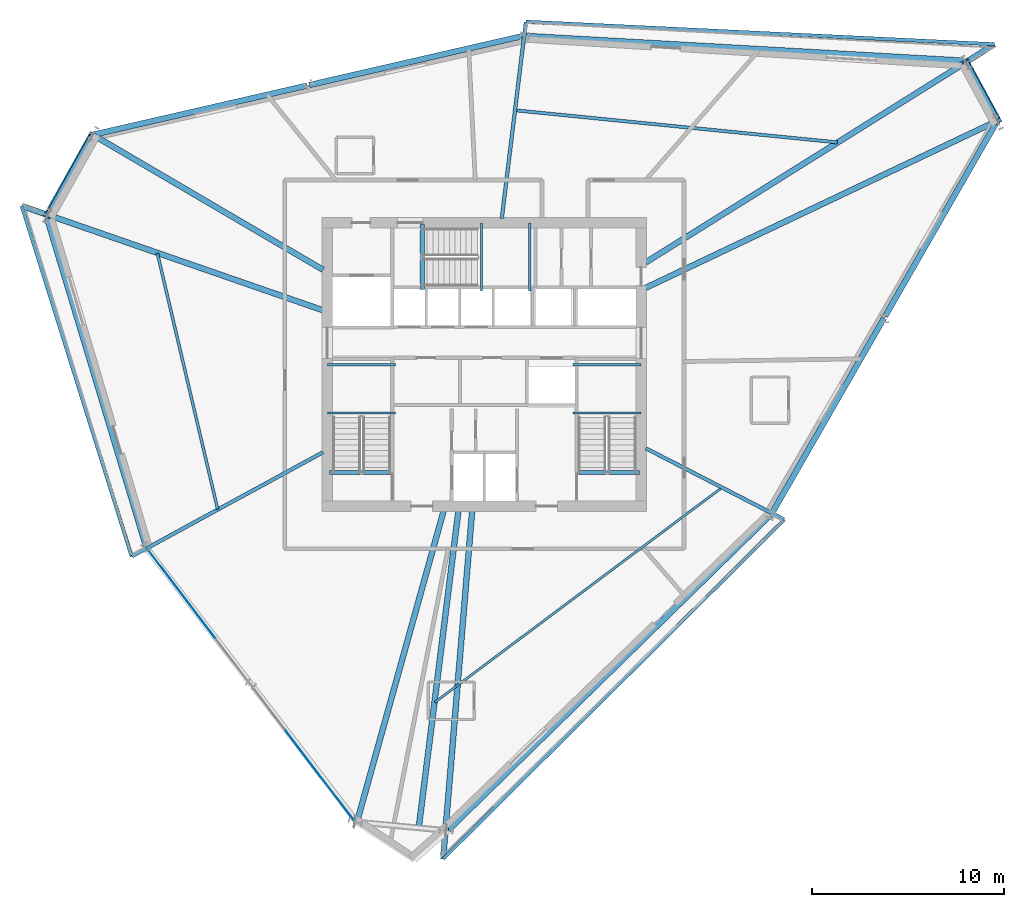
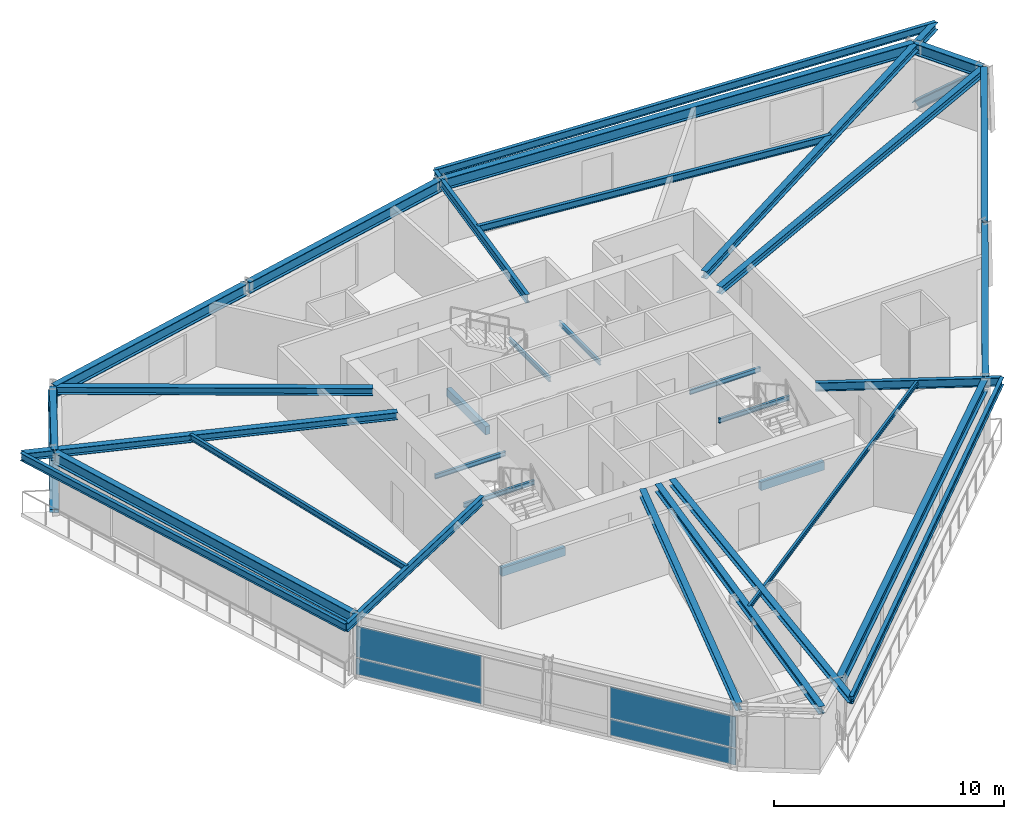
# One storey, part 4 of 14: 34 beams, 4 plates, 2 members, 1 element without a shape of its own.
"""IFC4 building model written with IfcOpenShell, lengths in metres."""

from ifc_helpers import new_model, si_unit, direction, frame, origin, origin_2d, place, context, subcontext, project, spatial, rectangle, i_section, extrude, source, transform, mapped, material, material_profile, profile_set, type_object, element, aggregate, save


model = new_model("IFC4")

# Units and contexts
model_context = context("Model", 3, precision=1e-05, world=origin(), true_north=direction((0.0, 1.0)))
body_context = subcontext(model_context, "Body", "Model", "MODEL_VIEW")
ifc_project = project(units=[si_unit("LENGTHUNIT", "METRE"), si_unit("AREAUNIT", "SQUARE_METRE"), si_unit("VOLUMEUNIT", "CUBIC_METRE"), si_unit("PLANEANGLEUNIT", "RADIAN"), si_unit("MASSUNIT", "GRAM", prefix="KILO")], contexts=[model_context])

# Site, building, storey
site_placement = place(None, origin())
site = spatial("IfcSite", under=ifc_project, at=site_placement, CompositionType="ELEMENT")
building_placement = place(site_placement, origin())
building = spatial("IfcBuilding", under=site, at=building_placement, Name="Olszyna Solenne Hotel", CompositionType="ELEMENT")
storey_placement = place(building_placement, frame((0.0, 0.0, 153.699951171875)))
storey = spatial("IfcBuildingStorey", under=building, at=storey_placement, Name="L40", CompositionType="ELEMENT", Elevation=153.699951171875)

# Beams
ifc_material_1 = material(Name="Steel S355J2", Category="steel")
ifc_material_profile_1 = material_profile(ifc_material_1, i_section(OverallWidth=0.300048828125, OverallDepth=0.60009765625, WebThickness=0.015380859375, FlangeThickness=0.030029296875, at=origin_2d()), Name="HEB 600", Category="load-bearing")
ifc_profile_set_1 = profile_set([ifc_material_profile_1], Name="Steel S355J2")
beam_type_1 = type_object("IfcBeamType", Name="BM-S2", PredefinedType="BEAM", material=ifc_profile_set_1)
shared_shape_1 = source(origin(), body_context, "Body", "SweptSolid", [
    extrude(i_section(OverallWidth=0.300048828125, OverallDepth=0.60009765625, WebThickness=0.015380859375, FlangeThickness=0.030029296875, at=origin_2d()), origin(), (0.0, 0.0, 1.0), 3.43896484375),
])
beam_1_placement = place(storey_placement, frame((64.684814453125, 39.34228515625, 3.0), z_axis=(-0.477926691334, 0.878399725472, 0.0), x_axis=(-0.878399725472, -0.477926691334, 0.0)))
element("IfcBeam", 1, at=beam_1_placement, inside=storey, type_object=beam_type_1, Name="Perimeter spandrel beam BM-S2 B-L40-1186", PredefinedType="BEAM", context=body_context, shape_type="MappedRepresentation", body=[
    mapped(shared_shape_1, transform((0.0, 0.0, 0.0), x_axis=(1.0, 0.0, 0.0), y_axis=(0.0, 1.0, 0.0), z_axis=(0.0, 0.0, 1.0), scale=1.0)),
])
shared_shape_2 = source(origin(), body_context, "Body", "SweptSolid", [
    extrude(i_section(OverallWidth=0.300048828125, OverallDepth=0.60009765625, WebThickness=0.015380859375, FlangeThickness=0.030029296875, at=origin_2d()), origin(), (0.0, 0.0, 1.0), 22.8935546875),
])
beam_2_placement = place(storey_placement, frame((62.95263671875, 42.419189453125, 3.0), z_axis=(-0.998410507591, 0.056360077466, 0.0), x_axis=(-0.056360077466, -0.998410507591, 0.0)))
element("IfcBeam", 2, at=beam_2_placement, inside=storey, type_object=beam_type_1, Name="Perimeter spandrel beam BM-S2 B-L40-1187", PredefinedType="BEAM", context=body_context, shape_type="MappedRepresentation", body=[
    mapped(shared_shape_2, transform((0.0, 0.0, 0.0), x_axis=(1.0, 0.0, 0.0), y_axis=(0.0, 1.0, 0.0), z_axis=(0.0, 0.0, 1.0), scale=1.0)),
])
shared_shape_3 = source(origin(), body_context, "Body", "SweptSolid", [
    extrude(i_section(OverallWidth=0.300048828125, OverallDepth=0.60009765625, WebThickness=0.015380859375, FlangeThickness=0.030029296875, at=origin_2d()), origin(), (0.0, 0.0, 1.0), 11.38671875),
])
for number, where, z_axis, x_axis, name in (
    (3, (39.97705078125, 43.699462890625, 3.0), (-0.974610797874, -0.223905767384, 0.0), (0.223905767384, -0.974610797874, 0.0), "Perimeter spandrel beam BM-S2 B-L40-1188"),
    (4, (28.762451171875, 41.123046875, 3.0), (-0.974610797874, -0.223905767384, 0.0), (0.223905767384, -0.974610797874, 0.0), "Perimeter spandrel beam BM-S2 B-L40-1189"),
):
    element("IfcBeam", number, at=place(storey_placement, frame(where, z_axis=z_axis, x_axis=x_axis)), inside=storey, type_object=beam_type_1, Name=name, PredefinedType="BEAM", context=body_context, shape_type="MappedRepresentation", body=[
        mapped(shared_shape_3, transform((0.0, 0.0, 0.0), x_axis=(1.0, 0.0, 0.0), y_axis=(0.0, 1.0, 0.0), z_axis=(0.0, 0.0, 1.0), scale=1.0)),
    ])
shared_shape_4 = source(origin(), body_context, "Body", "SweptSolid", [
    extrude(i_section(OverallWidth=0.300048828125, OverallDepth=0.60009765625, WebThickness=0.015380859375, FlangeThickness=0.030029296875, at=origin_2d()), origin(), (0.0, 0.0, 1.0), 11.678955078125),
])
beam_3_placement = place(storey_placement, frame((52.99169921875, 18.877685546875, 3.0), z_axis=(0.497979319685, 0.867188905122, 0.0), x_axis=(-0.867188905122, 0.497979319685, 0.0)))
element("IfcBeam", 5, at=beam_3_placement, inside=storey, type_object=beam_type_1, Name="Perimeter spandrel beam BM-S2 B-L40-1196", PredefinedType="BEAM", context=body_context, shape_type="MappedRepresentation", body=[
    mapped(shared_shape_4, transform((0.0, 0.0, 0.0), x_axis=(1.0, 0.0, 0.0), y_axis=(0.0, 1.0, 0.0), z_axis=(0.0, 0.0, 1.0), scale=1.0)),
])
ifc_material_profile_2 = material_profile(ifc_material_1, i_section(OverallWidth=0.179931640625, OverallDepth=0.39990234375, WebThickness=0.008544921875, FlangeThickness=0.013427734375, at=origin_2d()), Name="IPE 400", Category="load-bearing")
ifc_profile_set_2 = profile_set([ifc_material_profile_2], Name="Steel S355J2")
beam_type_2 = type_object("IfcBeamType", Name="BM-F5", PredefinedType="BEAM", material=ifc_profile_set_2)
shared_shape_5 = source(origin(), body_context, "Body", "SweptSolid", [
    extrude(i_section(OverallWidth=0.179931640625, OverallDepth=0.39990234375, WebThickness=0.008544921875, FlangeThickness=0.013427734375, at=origin_2d()), origin(), (0.0, 0.0, 1.0), 24.443115234375),
])
beam_4_placement = place(storey_placement, frame((64.57275390625, 43.2744140625, 3.10009765625), z_axis=(-0.998844308788, 0.04806294625, 0.0), x_axis=(-0.04806294625, -0.998844308788, 0.0)))
element("IfcBeam", 6, at=beam_4_placement, inside=storey, type_object=beam_type_2, Name="Loggia outer edge beam BM-F5 B-L40-1213", PredefinedType="BEAM", context=body_context, shape_type="MappedRepresentation", body=[
    mapped(shared_shape_5, transform((0.0, 0.0, 0.0), x_axis=(1.0, 0.0, 0.0), y_axis=(0.0, 1.0, 0.0), z_axis=(0.0, 0.0, 1.0), scale=1.0)),
])
shared_shape_6 = source(origin(), body_context, "Body", "SweptSolid", [
    extrude(i_section(OverallWidth=0.179931640625, OverallDepth=0.39990234375, WebThickness=0.008544921875, FlangeThickness=0.013427734375, at=origin_2d()), origin(), (0.0, 0.0, 1.0), 19.13916015625),
])
beam_5_placement = place(storey_placement, frame((13.899658203125, 34.8603515625, 3.10009765625), z_axis=(0.299297492727, -0.954159845543, 0.0), x_axis=(0.954159845543, 0.299297492727, 0.0)))
element("IfcBeam", 7, at=beam_5_placement, inside=storey, type_object=beam_type_2, Name="Loggia outer edge beam BM-F5 B-L40-1214", PredefinedType="BEAM", context=body_context, shape_type="MappedRepresentation", body=[
    mapped(shared_shape_6, transform((0.0, 0.0, 0.0), x_axis=(1.0, 0.0, 0.0), y_axis=(0.0, 1.0, 0.0), z_axis=(0.0, 0.0, 1.0), scale=1.0)),
])
shared_shape_7 = source(origin(), body_context, "Body", "SweptSolid", [
    extrude(i_section(OverallWidth=0.179931640625, OverallDepth=0.39990234375, WebThickness=0.008544921875, FlangeThickness=0.013427734375, at=origin_2d()), origin(), (0.0, 0.0, 1.0), 25.059326171875),
])
beam_6_placement = place(storey_placement, frame((35.846923828125, 0.85205078125, 3.10009765625), z_axis=(0.709217751344, 0.704989490119, 0.0), x_axis=(-0.704989490119, 0.709217751344, 0.0)))
element("IfcBeam", 8, at=beam_6_placement, inside=storey, type_object=beam_type_2, Name="Loggia outer edge beam BM-F5 B-L40-1215", PredefinedType="BEAM", context=body_context, shape_type="MappedRepresentation", body=[
    mapped(shared_shape_7, transform((0.0, 0.0, 0.0), x_axis=(1.0, 0.0, 0.0), y_axis=(0.0, 1.0, 0.0), z_axis=(0.0, 0.0, 1.0), scale=1.0)),
])
shared_shape_8 = source(origin(), body_context, "Body", "SweptSolid", [
    extrude(i_section(OverallWidth=0.300048828125, OverallDepth=0.60009765625, WebThickness=0.015380859375, FlangeThickness=0.030029296875, at=origin_2d()), origin(), (0.0, 0.0, 1.0), 4.8125),
])
beam_7_placement = place(storey_placement, frame((17.5771484375, 38.507568359375, 3.0), z_axis=(-0.484776931027, -0.874637826271, 0.0), x_axis=(0.874637826271, -0.484776931027, 0.0)))
element("IfcBeam", 9, at=beam_7_placement, inside=storey, type_object=beam_type_1, Name="Perimeter spandrel beam BM-S2 B-L40-1190", PredefinedType="BEAM", context=body_context, shape_type="MappedRepresentation", body=[
    mapped(shared_shape_8, transform((0.0, 0.0, 0.0), x_axis=(1.0, 0.0, 0.0), y_axis=(0.0, 1.0, 0.0), z_axis=(0.0, 0.0, 1.0), scale=1.0)),
])
shared_shape_9 = source(origin(), body_context, "Body", "SweptSolid", [
    extrude(i_section(OverallWidth=0.300048828125, OverallDepth=0.60009765625, WebThickness=0.015380859375, FlangeThickness=0.030029296875, at=origin_2d()), origin(), (0.0, 0.0, 1.0), 23.477783203125),
])
beam_8_placement = place(storey_placement, frame((36.135009765625, 2.366943359375, 3.0), z_axis=(0.714883405975, 0.699243674167, 0.0), x_axis=(-0.699243674167, 0.714883405975, 0.0)))
element("IfcBeam", 10, at=beam_8_placement, inside=storey, type_object=beam_type_1, Name="Perimeter spandrel beam BM-S2 B-L40-1195", PredefinedType="BEAM", context=body_context, shape_type="MappedRepresentation", body=[
    mapped(shared_shape_9, transform((0.0, 0.0, 0.0), x_axis=(1.0, 0.0, 0.0), y_axis=(0.0, 1.0, 0.0), z_axis=(0.0, 0.0, 1.0), scale=1.0)),
])
shared_shape_10 = source(origin(), body_context, "Body", "SweptSolid", [
    extrude(i_section(OverallWidth=0.300048828125, OverallDepth=0.60009765625, WebThickness=0.015380859375, FlangeThickness=0.030029296875, at=origin_2d()), origin(), (0.0, 0.0, 1.0), 11.67919921875),
])
beam_9_placement = place(storey_placement, frame((58.867431640625, 29.109619140625, 3.0), z_axis=(0.497995039728, 0.867179877768, 0.0), x_axis=(-0.867179877768, 0.497995039728, 0.0)))
element("IfcBeam", 11, at=beam_9_placement, inside=storey, type_object=beam_type_1, Name="Perimeter spandrel beam BM-S2 B-L40-1197", PredefinedType="BEAM", context=body_context, shape_type="MappedRepresentation", body=[
    mapped(shared_shape_10, transform((0.0, 0.0, 0.0), x_axis=(1.0, 0.0, 0.0), y_axis=(0.0, 1.0, 0.0), z_axis=(0.0, 0.0, 1.0), scale=1.0)),
])
shared_shape_11 = source(origin(), body_context, "Body", "SweptSolid", [
    extrude(i_section(OverallWidth=0.300048828125, OverallDepth=0.60009765625, WebThickness=0.015380859375, FlangeThickness=0.030029296875, at=origin_2d()), origin(), (0.0, 0.0, 1.0), 17.8642578125),
])
beam_10_placement = place(storey_placement, frame((15.232421875, 34.1884765625, 3.0), z_axis=(0.288758100514, -0.957402088669, 0.0), x_axis=(0.957402088669, 0.288758100514, 0.0)))
element("IfcBeam", 12, at=beam_10_placement, inside=storey, type_object=beam_type_1, Name="Perimeter spandrel beam BM-S2 B-L40-1191", PredefinedType="BEAM", context=body_context, shape_type="MappedRepresentation", body=[
    mapped(shared_shape_11, transform((0.0, 0.0, 0.0), x_axis=(1.0, 0.0, 0.0), y_axis=(0.0, 1.0, 0.0), z_axis=(0.0, 0.0, 1.0), scale=1.0)),
])
ifc_material_profile_3 = material_profile(ifc_material_1, i_section(OverallWidth=0.300048828125, OverallDepth=0.389892578125, WebThickness=0.010986328125, FlangeThickness=0.01904296875, at=origin_2d()), Name="HEA 400", Category="load-bearing")
ifc_profile_set_3 = profile_set([ifc_material_profile_3], Name="Steel S355J2")
beam_type_3 = type_object("IfcBeamType", Name="BM-G2", PredefinedType="BEAM", material=ifc_profile_set_3)
shared_shape_12 = source(origin(), body_context, "Body", "SweptSolid", [
    extrude(i_section(OverallWidth=0.300048828125, OverallDepth=0.389892578125, WebThickness=0.010986328125, FlangeThickness=0.01904296875, at=origin_2d()), origin(), (0.0, 0.0, 1.0), 20.209228515625),
])
beam_11_placement = place(storey_placement, frame((64.6591796875, 39.263916015625, 3.10498046875), z_axis=(-0.903266969744, -0.429078991994, 0.0), x_axis=(0.429078991994, -0.903266969744, 0.0)))
element("IfcBeam", 13, at=beam_11_placement, inside=storey, type_object=beam_type_3, Name="Radial floor girder BM-G2 B-L40-1198", PredefinedType="BEAM", context=body_context, shape_type="MappedRepresentation", body=[
    mapped(shared_shape_12, transform((0.0, 0.0, 0.0), x_axis=(1.0, 0.0, 0.0), y_axis=(0.0, 1.0, 0.0), z_axis=(0.0, 0.0, 1.0), scale=1.0)),
])
shared_shape_13 = source(origin(), body_context, "Body", "SweptSolid", [
    extrude(i_section(OverallWidth=0.300048828125, OverallDepth=0.389892578125, WebThickness=0.010986328125, FlangeThickness=0.01904296875, at=origin_2d()), origin(), (0.0, 0.0, 1.0), 21.40380859375),
])
beam_12_placement = place(storey_placement, frame((64.555908203125, 43.263671875, 3.10498046875), z_axis=(-0.847897681367, -0.53015990223, 0.0), x_axis=(0.53015990223, -0.847897681367, 0.0)))
element("IfcBeam", 14, at=beam_12_placement, inside=storey, type_object=beam_type_3, Name="Radial floor girder BM-G2 B-L40-1199", PredefinedType="BEAM", context=body_context, shape_type="MappedRepresentation", body=[
    mapped(shared_shape_13, transform((0.0, 0.0, 0.0), x_axis=(1.0, 0.0, 0.0), y_axis=(0.0, 1.0, 0.0), z_axis=(0.0, 0.0, 1.0), scale=1.0)),
])
ifc_material_profile_4 = material_profile(ifc_material_1, i_section(OverallWidth=0.18994140625, OverallDepth=0.449951171875, WebThickness=0.009521484375, FlangeThickness=0.0146484375, at=origin_2d()), Name="IPE 450", Category="load-bearing")
ifc_profile_set_4 = profile_set([ifc_material_profile_4], Name="Steel S355J2")
beam_type_4 = type_object("IfcBeamType", Name="BM-F4", PredefinedType="BEAM", material=ifc_profile_set_4)
shared_shape_14 = source(origin(), body_context, "Body", "SweptSolid", [
    extrude(i_section(OverallWidth=0.18994140625, OverallDepth=0.449951171875, WebThickness=0.009521484375, FlangeThickness=0.0146484375, at=origin_2d()), origin(), (0.0, 0.0, 1.0), 10.305419921875),
])
beam_13_placement = place(storey_placement, frame((40.155517578125, 44.429443359375, 3.074951171875), z_axis=(-0.121436396479, -0.992599214996, 0.0), x_axis=(0.992599214996, -0.121436396479, 0.0)))
element("IfcBeam", 15, at=beam_13_placement, inside=storey, type_object=beam_type_4, Name="Radial floor girder BM-F4 B-L40-1200", PredefinedType="BEAM", context=body_context, shape_type="MappedRepresentation", body=[
    mapped(shared_shape_14, transform((0.0, 0.0, 0.0), x_axis=(1.0, 0.0, 0.0), y_axis=(0.0, 1.0, 0.0), z_axis=(0.0, 0.0, 1.0), scale=1.0)),
])
shared_shape_15 = source(origin(), body_context, "Body", "SweptSolid", [
    extrude(i_section(OverallWidth=0.300048828125, OverallDepth=0.389892578125, WebThickness=0.010986328125, FlangeThickness=0.01904296875, at=origin_2d()), origin(), (0.0, 0.0, 1.0), 13.836181640625),
])
beam_14_placement = place(storey_placement, frame((17.657958984375, 38.52978515625, 3.10498046875), z_axis=(0.862600265516, -0.505886135342, 0.0), x_axis=(0.505886135342, 0.862600265516, 0.0)))
element("IfcBeam", 16, at=beam_14_placement, inside=storey, type_object=beam_type_3, Name="Radial floor girder BM-G2 B-L40-1201", PredefinedType="BEAM", context=body_context, shape_type="MappedRepresentation", body=[
    mapped(shared_shape_15, transform((0.0, 0.0, 0.0), x_axis=(1.0, 0.0, 0.0), y_axis=(0.0, 1.0, 0.0), z_axis=(0.0, 0.0, 1.0), scale=1.0)),
])
shared_shape_16 = source(origin(), body_context, "Body", "SweptSolid", [
    extrude(i_section(OverallWidth=0.300048828125, OverallDepth=0.389892578125, WebThickness=0.010986328125, FlangeThickness=0.01904296875, at=origin_2d()), origin(), (0.0, 0.0, 1.0), 16.593994140625),
])
beam_15_placement = place(storey_placement, frame((13.91845703125, 34.853759765625, 3.10498046875), z_axis=(0.944860236789, -0.327473866032, 0.0), x_axis=(0.327473866032, 0.944860236789, 0.0)))
element("IfcBeam", 17, at=beam_15_placement, inside=storey, type_object=beam_type_3, Name="Radial floor girder BM-G2 B-L40-1202", PredefinedType="BEAM", context=body_context, shape_type="MappedRepresentation", body=[
    mapped(shared_shape_16, transform((0.0, 0.0, 0.0), x_axis=(1.0, 0.0, 0.0), y_axis=(0.0, 1.0, 0.0), z_axis=(0.0, 0.0, 1.0), scale=1.0)),
])
shared_shape_17 = source(origin(), body_context, "Body", "SweptSolid", [
    extrude(i_section(OverallWidth=0.18994140625, OverallDepth=0.449951171875, WebThickness=0.009521484375, FlangeThickness=0.0146484375, at=origin_2d()), origin(), (0.0, 0.0, 1.0), 11.328125),
])
beam_16_placement = place(storey_placement, frame((19.6455078125, 16.608154296875, 3.074951171875), z_axis=(0.878210010707, 0.478275210621, 0.0), x_axis=(-0.478275210621, 0.878210010707, 0.0)))
element("IfcBeam", 18, at=beam_16_placement, inside=storey, type_object=beam_type_4, Name="Radial floor girder BM-F4 B-L40-1203", PredefinedType="BEAM", context=body_context, shape_type="MappedRepresentation", body=[
    mapped(shared_shape_17, transform((0.0, 0.0, 0.0), x_axis=(1.0, 0.0, 0.0), y_axis=(0.0, 1.0, 0.0), z_axis=(0.0, 0.0, 1.0), scale=1.0)),
])
shared_shape_18 = source(origin(), body_context, "Body", "SweptSolid", [
    extrude(i_section(OverallWidth=0.300048828125, OverallDepth=0.389892578125, WebThickness=0.010986328125, FlangeThickness=0.01904296875, at=origin_2d()), origin(), (0.0, 0.0, 1.0), 16.79248046875),
])
beam_17_placement = place(storey_placement, frame((31.376953125, 2.821533203125, 3.10498046875), z_axis=(0.26832465399, 0.963328542119, 0.0), x_axis=(-0.963328542119, 0.26832465399, 0.0)))
element("IfcBeam", 19, at=beam_17_placement, inside=storey, type_object=beam_type_3, Name="Radial floor girder BM-G2 B-L40-1204", PredefinedType="BEAM", context=body_context, shape_type="MappedRepresentation", body=[
    mapped(shared_shape_18, transform((0.0, 0.0, 0.0), x_axis=(1.0, 0.0, 0.0), y_axis=(0.0, 1.0, 0.0), z_axis=(0.0, 0.0, 1.0), scale=1.0)),
])
shared_shape_19 = source(origin(), body_context, "Body", "SweptSolid", [
    extrude(i_section(OverallWidth=0.300048828125, OverallDepth=0.389892578125, WebThickness=0.010986328125, FlangeThickness=0.01904296875, at=origin_2d()), origin(), (0.0, 0.0, 1.0), 18.3212890625),
])
beam_18_placement = place(storey_placement, frame((34.374267578125, 0.81982421875, 3.10498046875), z_axis=(0.124193819168, 0.992257978189, 0.0), x_axis=(-0.992257978189, 0.124193819168, 0.0)))
element("IfcBeam", 20, at=beam_18_placement, inside=storey, type_object=beam_type_3, Name="Radial floor girder BM-G2 B-L40-1205", PredefinedType="BEAM", context=body_context, shape_type="MappedRepresentation", body=[
    mapped(shared_shape_19, transform((0.0, 0.0, 0.0), x_axis=(1.0, 0.0, 0.0), y_axis=(0.0, 1.0, 0.0), z_axis=(0.0, 0.0, 1.0), scale=1.0)),
])
shared_shape_20 = source(origin(), body_context, "Body", "SweptSolid", [
    extrude(i_section(OverallWidth=0.18994140625, OverallDepth=0.449951171875, WebThickness=0.009521484375, FlangeThickness=0.0146484375, at=origin_2d()), origin(), (0.0, 0.0, 1.0), 8.09375),
])
beam_19_placement = place(storey_placement, frame((53.601806640625, 18.52783203125, 3.074951171875), z_axis=(-0.889104762799, 0.457703747819, 0.0), x_axis=(-0.457703747819, -0.889104762799, 0.0)))
element("IfcBeam", 21, at=beam_19_placement, inside=storey, type_object=beam_type_4, Name="Radial floor girder BM-F4 B-L40-1206", PredefinedType="BEAM", context=body_context, shape_type="MappedRepresentation", body=[
    mapped(shared_shape_20, transform((0.0, 0.0, 0.0), x_axis=(1.0, 0.0, 0.0), y_axis=(0.0, 1.0, 0.0), z_axis=(0.0, 0.0, 1.0), scale=1.0)),
])
ifc_material_profile_5 = material_profile(ifc_material_1, i_section(OverallWidth=0.300048828125, OverallDepth=0.31005859375, WebThickness=0.009033203125, FlangeThickness=0.015380859375, at=origin_2d()), Name="HEA 320", Category="load-bearing")
ifc_profile_set_5 = profile_set([ifc_material_profile_5], Name="Steel S355J2")
beam_type_5 = type_object("IfcBeamType", Name="BM-G3", PredefinedType="BEAM", material=ifc_profile_set_5)
shared_shape_21 = source(origin(), body_context, "Body", "SweptSolid", [
    extrude(i_section(OverallWidth=0.300048828125, OverallDepth=0.31005859375, WebThickness=0.009033203125, FlangeThickness=0.015380859375, at=origin_2d()), origin(), (0.0, 0.0, 1.0), 18.2109375),
])
beam_20_placement = place(storey_placement, frame((35.846923828125, 0.85205078125, 3.14501953125), z_axis=(0.083332830991, 0.9965217706, 0.0), x_axis=(-0.9965217706, 0.083332830991, 0.0)))
element("IfcBeam", 22, at=beam_20_placement, inside=storey, type_object=beam_type_5, Name="Loggia/prism radial back-span girder BM-G3 B-L40-1209", PredefinedType="BEAM", context=body_context, shape_type="MappedRepresentation", body=[
    mapped(shared_shape_21, transform((0.0, 0.0, 0.0), x_axis=(1.0, 0.0, 0.0), y_axis=(0.0, 1.0, 0.0), z_axis=(0.0, 0.0, 1.0), scale=1.0)),
])
ifc_material_profile_6 = material_profile(ifc_material_1, i_section(OverallWidth=0.169921875, OverallDepth=0.360107421875, WebThickness=0.008056640625, FlangeThickness=0.0126953125, at=origin_2d()), Name="IPE 360", Category="load-bearing")
ifc_profile_set_6 = profile_set([ifc_material_profile_6], Name="Steel S355J2")
beam_type_6 = type_object("IfcBeamType", Name="JS-01", PredefinedType="JOIST", material=ifc_profile_set_6)
shared_shape_22 = source(origin(), body_context, "Body", "SweptSolid", [
    extrude(i_section(OverallWidth=0.169921875, OverallDepth=0.360107421875, WebThickness=0.008056640625, FlangeThickness=0.0126953125, at=origin_2d()), origin(), (0.0, 0.0, 1.0), 16.84814453125),
])
beam_21_placement = place(storey_placement, frame((56.378662109375, 38.165283203125, 3.1201171875), z_axis=(-0.995075852301, 0.099116336533, 0.0), x_axis=(-0.099116336533, -0.995075852301, 0.0)))
element("IfcBeam", 23, at=beam_21_placement, inside=storey, type_object=beam_type_6, Name="Secondary composite floor joist JS-01 B-L40-1210", PredefinedType="JOIST", context=body_context, shape_type="MappedRepresentation", body=[
    mapped(shared_shape_22, transform((0.0, 0.0, 0.0), x_axis=(1.0, 0.0, 0.0), y_axis=(0.0, 1.0, 0.0), z_axis=(0.0, 0.0, 1.0), scale=1.0)),
])
ifc_material_profile_7 = material_profile(ifc_material_1, i_section(OverallWidth=0.14990234375, OverallDepth=0.300048828125, WebThickness=0.007080078125, FlangeThickness=0.0107421875, at=origin_2d()), Name="IPE 300", Category="load-bearing")
ifc_profile_set_7 = profile_set([ifc_material_profile_7], Name="Steel S355J2")
beam_type_7 = type_object("IfcBeamType", Name="JS-02", PredefinedType="JOIST", material=ifc_profile_set_7)
shared_shape_23 = source(origin(), body_context, "Body", "SweptSolid", [
    extrude(i_section(OverallWidth=0.14990234375, OverallDepth=0.300048828125, WebThickness=0.007080078125, FlangeThickness=0.0107421875, at=origin_2d()), origin(), (0.0, 0.0, 1.0), 13.69677734375),
])
beam_22_placement = place(storey_placement, frame((20.96826171875, 32.392578125, 3.150146484375), z_axis=(0.229226109369, -0.973373202211, 0.0), x_axis=(0.973373202211, 0.229226109369, 0.0)))
element("IfcBeam", 24, at=beam_22_placement, inside=storey, type_object=beam_type_7, Name="Secondary composite floor joist JS-02 B-L40-1211", PredefinedType="JOIST", context=body_context, shape_type="MappedRepresentation", body=[
    mapped(shared_shape_23, transform((0.0, 0.0, 0.0), x_axis=(1.0, 0.0, 0.0), y_axis=(0.0, 1.0, 0.0), z_axis=(0.0, 0.0, 1.0), scale=1.0)),
])
ifc_material_profile_8 = material_profile(ifc_material_1, i_section(OverallWidth=0.1201171875, OverallDepth=0.239990234375, WebThickness=0.006103515625, FlangeThickness=0.009765625, at=origin_2d()), Name="IPE 240", Category="load-bearing")
ifc_profile_set_8 = profile_set([ifc_material_profile_8], Name="Steel S355J2")
beam_type_8 = type_object("IfcBeamType", Name="JS-03", PredefinedType="JOIST", material=ifc_profile_set_8)
shared_shape_24 = source(origin(), body_context, "Body", "SweptSolid", [
    extrude(i_section(OverallWidth=0.1201171875, OverallDepth=0.239990234375, WebThickness=0.006103515625, FlangeThickness=0.009765625, at=origin_2d()), origin(), (0.0, 0.0, 1.0), 18.6611328125),
])
beam_23_placement = place(storey_placement, frame((35.412841796875, 9.001708984375, 3.179931640625), z_axis=(0.800828166682, 0.598894187189, 0.0), x_axis=(-0.598894187189, 0.800828166682, 0.0)))
element("IfcBeam", 25, at=beam_23_placement, inside=storey, type_object=beam_type_8, Name="Secondary composite floor joist JS-03 B-L40-1212", PredefinedType="JOIST", context=body_context, shape_type="MappedRepresentation", body=[
    mapped(shared_shape_24, transform((0.0, 0.0, 0.0), x_axis=(1.0, 0.0, 0.0), y_axis=(0.0, 1.0, 0.0), z_axis=(0.0, 0.0, 1.0), scale=1.0)),
])

# Members
ifc_material_2 = material(Name="Steel S460M", Category="steel")
ifc_material_profile_9 = material_profile(ifc_material_2, i_section(OverallWidth=0.406005859375, OverallDepth=0.416015625, WebThickness=0.026611328125, FlangeThickness=0.04150390625, at=origin_2d()), Name="HD 400x382", Category="load-bearing")
ifc_profile_set_9 = profile_set([ifc_material_profile_9], Name="Steel S460M")
member_type = type_object("IfcMemberType", Name="BR-T2", PredefinedType="BRACE", material=ifc_profile_set_9)
shared_shape_25 = source(origin(), body_context, "Body", "SweptSolid", [
    extrude(i_section(OverallWidth=0.406005859375, OverallDepth=0.416015625, WebThickness=0.026611328125, FlangeThickness=0.04150390625, at=origin_2d()), origin(), (0.0, 0.0, 1.0), 4.530517578125),
])
member_1_placement = place(storey_placement, frame((63.081298828125, 42.306396484375, 0.010009765625), z_axis=(0.360234199855, -0.665880928588, 0.65332527136), x_axis=(0.879541492789, 0.475822196269, 0.0)))
element("IfcMember", 26, at=member_1_placement, inside=storey, type_object=member_type, Name="Perimeter braced-tube diagonal BR-T2 BR-L40-1", PredefinedType="BRACE", context=body_context, shape_type="MappedRepresentation", body=[
    mapped(shared_shape_25, transform((0.0, 0.0, 0.0), x_axis=(1.0, 0.0, 0.0), y_axis=(0.0, 1.0, 0.0), z_axis=(0.0, 0.0, 1.0), scale=1.0)),
])
shared_shape_26 = source(origin(), body_context, "Body", "SweptSolid", [
    extrude(i_section(OverallWidth=0.406005859375, OverallDepth=0.416015625, WebThickness=0.026611328125, FlangeThickness=0.04150390625, at=origin_2d()), origin(), (0.0, 0.0, 1.0), 5.664306640625),
])
member_2_placement = place(storey_placement, frame((15.24853515625, 34.34521484375, 0.010009765625), z_axis=(0.416228842264, 0.744100106953, 0.522559644155), x_axis=(-0.872739529427, 0.488186146645, 0.0)))
element("IfcMember", 27, at=member_2_placement, inside=storey, type_object=member_type, Name="Perimeter braced-tube diagonal BR-T2 BR-L40-2", PredefinedType="BRACE", context=body_context, shape_type="MappedRepresentation", body=[
    mapped(shared_shape_26, transform((0.0, 0.0, 0.0), x_axis=(1.0, 0.0, 0.0), y_axis=(0.0, 1.0, 0.0), z_axis=(0.0, 0.0, 1.0), scale=1.0)),
])

# Beams
shared_shape_27 = source(origin(), body_context, "Body", "SweptSolid", [
    extrude(i_section(OverallWidth=0.1201171875, OverallDepth=0.239990234375, WebThickness=0.006103515625, FlangeThickness=0.009765625, at=origin_2d()), origin(), (0.0, 0.0, 1.0), 3.539794921875),
])
for number, where, z_axis, x_axis, name in (
    (28, (33.3798828125, 24.070068359375, 1.449951171875), (-1.0, 0.0, 0.0), (0.0, -1.0, 0.0), "Stair landing support beam JS-03 SLB-ST1-0085"),
    (29, (33.3798828125, 26.580078125, 1.449951171875), (-1.0, 0.0, 0.0), (0.0, -1.0, 0.0), "Stair landing support beam JS-03 SLB-ST1-0086"),
    (30, (46.159912109375, 24.070068359375, 1.449951171875), (-1.0, 0.0, 0.0), (0.0, -1.0, 0.0), "Stair landing support beam JS-03 SLB-ST2-0325"),
    (31, (46.159912109375, 26.580078125, 1.449951171875), (-1.0, 0.0, 0.0), (0.0, -1.0, 0.0), "Stair landing support beam JS-03 SLB-ST2-0326"),
):
    element("IfcBeam", number, at=place(storey_placement, frame(where, z_axis=z_axis, x_axis=x_axis)), inside=storey, type_object=beam_type_8, Name=name, PredefinedType="JOIST", context=body_context, shape_type="MappedRepresentation", body=[
        mapped(shared_shape_27, transform((0.0, 0.0, 0.0), x_axis=(1.0, 0.0, 0.0), y_axis=(0.0, 1.0, 0.0), z_axis=(0.0, 0.0, 1.0), scale=1.0)),
    ])
ifc_material_3 = material(Name="Concrete C50/60", Category="concrete")
ifc_material_profile_10 = material_profile(ifc_material_3, rectangle(XDim=0.219970703125, YDim=0.43994140625, at=origin_2d()), Name="RC 220x440", Category="load-bearing")
ifc_profile_set_10 = profile_set([ifc_material_profile_10], Name="Concrete C50/60")
beam_type_9 = type_object("IfcBeamType", Name="BM-ST1", PredefinedType="BEAM", material=ifc_profile_set_10)
shared_shape_28 = source(origin(), body_context, "Body", "SweptSolid", [
    extrude(rectangle(XDim=0.219970703125, YDim=0.43994140625, at=origin_2d()), origin(), (0.0, 0.0, 1.0), 3.18017578125),
])
for number, where, z_axis, x_axis, name in (
    (32, (33.10009765625, 20.97998046875, -0.204833984375), (-1.0, 0.0, 0.0), (0.0, -1.0, 0.0), "Concrete stair trimmer beam BM-ST1 SHB-ST1-0202"),
    (33, (46.080078125, 20.97998046875, -0.204833984375), (-1.0, 0.0, 0.0), (0.0, -1.0, 0.0), "Concrete stair trimmer beam BM-ST1 SHB-ST2-0442"),
):
    element("IfcBeam", number, at=place(storey_placement, frame(where, z_axis=z_axis, x_axis=x_axis)), inside=storey, type_object=beam_type_9, Name=name, PredefinedType="BEAM", context=body_context, shape_type="MappedRepresentation", body=[
        mapped(shared_shape_28, transform((0.0, 0.0, 0.0), x_axis=(1.0, 0.0, 0.0), y_axis=(0.0, 1.0, 0.0), z_axis=(0.0, 0.0, 1.0), scale=1.0)),
    ])
shared_shape_29 = source(origin(), body_context, "Body", "SweptSolid", [
    extrude(i_section(OverallWidth=0.1201171875, OverallDepth=0.239990234375, WebThickness=0.006103515625, FlangeThickness=0.009765625, at=origin_2d()), origin(), (0.0, 0.0, 1.0), 3.5400390625),
])
for number, where, z_axis, x_axis, name in (
    (34, (37.85009765625, 30.419921875, 1.449951171875), (0.0, 1.0, 0.0), (-1.0, 0.0, 0.0), "Stair landing support beam JS-03 SLB-ST3-0565"),
    (35, (40.360107421875, 30.419921875, 1.449951171875), (0.0, 1.0, 0.0), (-1.0, 0.0, 0.0), "Stair landing support beam JS-03 SLB-ST3-0566"),
):
    element("IfcBeam", number, at=place(storey_placement, frame(where, z_axis=z_axis, x_axis=x_axis)), inside=storey, type_object=beam_type_8, Name=name, PredefinedType="JOIST", context=body_context, shape_type="MappedRepresentation", body=[
        mapped(shared_shape_29, transform((0.0, 0.0, 0.0), x_axis=(1.0, 0.0, 0.0), y_axis=(0.0, 1.0, 0.0), z_axis=(0.0, 0.0, 1.0), scale=1.0)),
    ])
shared_shape_30 = source(origin(), body_context, "Body", "SweptSolid", [
    extrude(rectangle(XDim=0.219970703125, YDim=0.43994140625, at=origin_2d()), origin(), (0.0, 0.0, 1.0), 3.3798828125),
])
beam_24_placement = place(storey_placement, frame((34.760009765625, 30.5, -0.204833984375), z_axis=(0.0, 1.0, 0.0), x_axis=(-1.0, 0.0, 0.0)))
element("IfcBeam", 36, at=beam_24_placement, inside=storey, type_object=beam_type_9, Name="Concrete stair trimmer beam BM-ST1 SHB-ST3-0680", PredefinedType="BEAM", context=body_context, shape_type="MappedRepresentation", body=[
    mapped(shared_shape_30, transform((0.0, 0.0, 0.0), x_axis=(1.0, 0.0, 0.0), y_axis=(0.0, 1.0, 0.0), z_axis=(0.0, 0.0, 1.0), scale=1.0)),
])

# Curtain wall, plates
ifc_material_4 = material(Name="Anodised bronze aluminium", Category="aluminium")
curtain_wall_type = type_object("IfcCurtainWallType", Name="CW-SYS-4", PredefinedType="NOTDEFINED", material=ifc_material_4)
curtain_wall_placement = place(storey_placement, origin())
curtain_wall = element("IfcCurtainWall", 37, at=curtain_wall_placement, inside=storey, type_object=curtain_wall_type, Name="Unitised curtain wall CW-SYS-4 CW-L40-01", PredefinedType="NOTDEFINED")
ifc_material_5 = material(Name="Terracotta cladding", Category="masonry")
plate_type_1 = type_object("IfcPlateType", Name="PN-SP1", PredefinedType="CURTAIN_PANEL", material=ifc_material_5)
shared_shape_31 = source(origin(), body_context, "Body", "SweptSolid", [
    extrude(rectangle(XDim=5.897216796875, YDim=0.035888671875, at=origin_2d()), origin(), (0.0, 0.0, 1.0), 0.8525390625),
])
plate_1_placement = place(storey_placement, frame((22.19140625, 14.70654296875, 0.06494140625), z_axis=(0.0, 0.0, 1.0), x_axis=(0.605559268992, -0.795800208431, 0.0)))
plate_1 = element("IfcPlate", 38, at=plate_1_placement, type_object=plate_type_1, Name="Curtain-wall panel PN-SP1 CP-L40-01-01", PredefinedType="CURTAIN_PANEL", context=body_context, shape_type="MappedRepresentation", body=[
    mapped(shared_shape_31, transform((0.0, 0.0, 0.0), x_axis=(1.0, 0.0, 0.0), y_axis=(0.0, 1.0, 0.0), z_axis=(0.0, 0.0, 1.0), scale=1.0)),
])
plate_2_placement = place(storey_placement, frame((29.431884765625, 5.191162109375, 0.06494140625), z_axis=(0.0, 0.0, 1.0), x_axis=(0.605559268992, -0.795800208431, 0.0)))
plate_2 = element("IfcPlate", 39, at=plate_2_placement, type_object=plate_type_1, Name="Curtain-wall panel PN-SP1 CP-L40-01-05", PredefinedType="CURTAIN_PANEL", context=body_context, shape_type="MappedRepresentation", body=[
    mapped(shared_shape_31, transform((0.0, 0.0, 0.0), x_axis=(1.0, 0.0, 0.0), y_axis=(0.0, 1.0, 0.0), z_axis=(0.0, 0.0, 1.0), scale=1.0)),
])
ifc_material_6 = material(Name="Low-E triple glazing", Category="glass")
plate_type_2 = type_object("IfcPlateType", Name="PN-GL1", PredefinedType="CURTAIN_PANEL", material=ifc_material_6)
shared_shape_32 = source(origin(), body_context, "Body", "SweptSolid", [
    extrude(rectangle(XDim=5.897216796875, YDim=0.035888671875, at=origin_2d()), origin(), (0.0, 0.0, 1.0), 1.64453125),
])
plate_3_placement = place(storey_placement, frame((22.19140625, 14.70654296875, 0.982421875), z_axis=(0.0, 0.0, 1.0), x_axis=(0.605559268992, -0.795800208431, 0.0)))
plate_3 = element("IfcPlate", 40, at=plate_3_placement, type_object=plate_type_2, Name="Curtain-wall panel PN-GL1 CP-L40-01-02", PredefinedType="CURTAIN_PANEL", context=body_context, shape_type="MappedRepresentation", body=[
    mapped(shared_shape_32, transform((0.0, 0.0, 0.0), x_axis=(1.0, 0.0, 0.0), y_axis=(0.0, 1.0, 0.0), z_axis=(0.0, 0.0, 1.0), scale=1.0)),
])
plate_4_placement = place(storey_placement, frame((29.431884765625, 5.191162109375, 0.982421875), z_axis=(0.0, 0.0, 1.0), x_axis=(0.605559268992, -0.795800208431, 0.0)))
plate_4 = element("IfcPlate", 41, at=plate_4_placement, type_object=plate_type_2, Name="Curtain-wall panel PN-GL1 CP-L40-01-06", PredefinedType="CURTAIN_PANEL", context=body_context, shape_type="MappedRepresentation", body=[
    mapped(shared_shape_32, transform((0.0, 0.0, 0.0), x_axis=(1.0, 0.0, 0.0), y_axis=(0.0, 1.0, 0.0), z_axis=(0.0, 0.0, 1.0), scale=1.0)),
])
aggregate(curtain_wall, [plate_1, plate_3, plate_2, plate_4])

save(model, "model.ifc")
